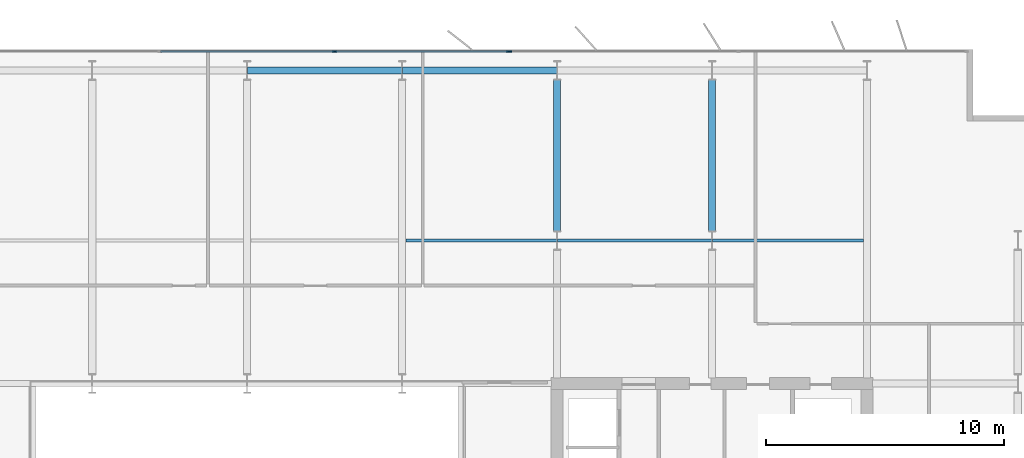
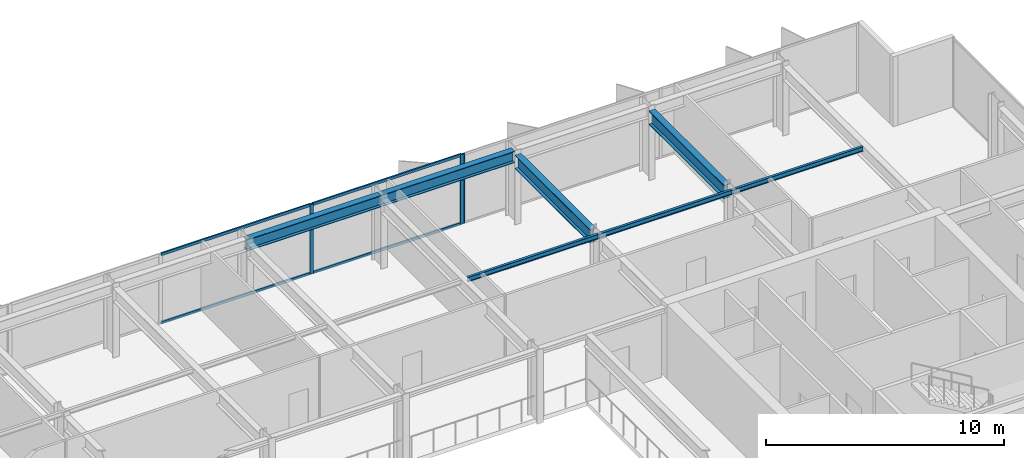
# One storey, part 12 of 24: 7 beams, 7 members, 2 elements without a shape of their own.
"""IFC4 building model written with IfcOpenShell, lengths in metres."""

from ifc_helpers import new_model, si_unit, direction, frame, origin, origin_2d, place, context, subcontext, project, spatial, rectangle, i_section, extrude, material, layer, layer_set, material_profile, profile_set, type_object, element, aggregate, save


model = new_model("IFC4")

# Units and contexts
model_context = context("Model", 3, precision=1e-05, world=origin(), true_north=direction((0.0, 1.0)))
body_context = subcontext(model_context, "Body", "Model", "MODEL_VIEW")
ifc_project = project(units=[si_unit("LENGTHUNIT", "METRE"), si_unit("AREAUNIT", "SQUARE_METRE"), si_unit("VOLUMEUNIT", "CUBIC_METRE"), si_unit("PLANEANGLEUNIT", "RADIAN"), si_unit("MASSUNIT", "GRAM", prefix="KILO")], contexts=[model_context])

# Site, building, storey
site_placement = place(None, origin())
site = spatial("IfcSite", under=ifc_project, at=site_placement, CompositionType="ELEMENT")
building_placement = place(site_placement, origin())
building = spatial("IfcBuilding", under=site, at=building_placement, Name="Putna Gate Headquarters", CompositionType="ELEMENT")
storey_placement = place(building_placement, frame((0.0, 0.0, 240.39990234375)))
storey = spatial("IfcBuildingStorey", under=building, at=storey_placement, Name="L60", CompositionType="ELEMENT", Elevation=240.39990234375)

# Beams
ifc_material_1 = material(Name="Steel S355J2", Category="steel")
ifc_material_profile_1 = material_profile(ifc_material_1, i_section(OverallWidth=0.300048828125, OverallDepth=0.699951171875, WebThickness=0.01708984375, FlangeThickness=0.031982421875, at=origin_2d()), Name="Steel S355J2")
ifc_profile_set_1 = profile_set([ifc_material_profile_1], Name="Steel S355J2")
beam_type_1 = type_object("IfcBeamType", Name="BM-GIRD-B-HEB700", PredefinedType="USERDEFINED", material=ifc_profile_set_1)
for number, where, z_axis, x_axis, name in (
    (1, (52.0, 39.39501953125, 3.22998046875), (0.0, 1.0, 0.0), (-1.0, 0.0, 0.0), "L60 North Primary Girder X52-2"),
    (2, (58.5, 39.39501953125, 3.22998046875), (0.0, 1.0, 0.0), (-1.0, 0.0, 0.0), "L60 North Primary Girder X58-2"),
):
    element("IfcBeam", number, at=place(storey_placement, frame(where, z_axis=z_axis, x_axis=x_axis)), inside=storey, type_object=beam_type_1, Name=name, ObjectType="GIRDER", PredefinedType="USERDEFINED", context=body_context, shape_type="SweptSolid", body=[
        extrude(i_section(OverallWidth=0.300048828125, OverallDepth=0.699951171875, WebThickness=0.01708984375, FlangeThickness=0.031982421875, at=origin_2d()), origin(), (0.0, 0.0, 1.0), 6.330078125),
    ])
ifc_material_profile_2 = material_profile(ifc_material_1, i_section(OverallWidth=0.1201171875, OverallDepth=0.239990234375, WebThickness=0.006103515625, FlangeThickness=0.009765625, at=origin_2d()), Name="Steel S355J2")
ifc_profile_set_2 = profile_set([ifc_material_profile_2], Name="Steel S355J2")
beam_type_2 = type_object("IfcBeamType", Name="BM-SEC-Z4-IPE240", PredefinedType="JOIST", material=ifc_profile_set_2)
beam_1_placement = place(storey_placement, frame((45.654052734375, 39.0, 3.460205078125), z_axis=(1.0, 0.0, 0.0), x_axis=(0.0, 1.0, 0.0)))
element("IfcBeam", 3, at=beam_1_placement, inside=storey, type_object=beam_type_2, Name="L60 North Secondary Beam 6", PredefinedType="JOIST", context=body_context, shape_type="SweptSolid", body=[
    extrude(i_section(OverallWidth=0.1201171875, OverallDepth=0.239990234375, WebThickness=0.006103515625, FlangeThickness=0.009765625, at=origin_2d()), origin(), (0.0, 0.0, 1.0), 6.33984375),
])
beam_2_placement = place(storey_placement, frame((52.006103515625, 39.0, 3.460205078125), z_axis=(1.0, 0.0, 0.0), x_axis=(0.0, 1.0, 0.0)))
element("IfcBeam", 4, at=beam_2_placement, inside=storey, type_object=beam_type_2, Name="L60 North Secondary Beam 7", PredefinedType="JOIST", context=body_context, shape_type="SweptSolid", body=[
    extrude(i_section(OverallWidth=0.1201171875, OverallDepth=0.239990234375, WebThickness=0.006103515625, FlangeThickness=0.009765625, at=origin_2d()), origin(), (0.0, 0.0, 1.0), 6.48779296875),
])
beam_3_placement = place(storey_placement, frame((58.506103515625, 39.0, 3.460205078125), z_axis=(1.0, 0.0, 0.0), x_axis=(0.0, 1.0, 0.0)))
element("IfcBeam", 5, at=beam_3_placement, inside=storey, type_object=beam_type_2, Name="L60 North Secondary Beam 8", PredefinedType="JOIST", context=body_context, shape_type="SweptSolid", body=[
    extrude(i_section(OverallWidth=0.1201171875, OverallDepth=0.239990234375, WebThickness=0.006103515625, FlangeThickness=0.009765625, at=origin_2d()), origin(), (0.0, 0.0, 1.0), 6.33984375),
])
ifc_material_profile_3 = material_profile(ifc_material_1, i_section(OverallWidth=0.300048828125, OverallDepth=0.590087890625, WebThickness=0.012939453125, FlangeThickness=0.02490234375, at=origin_2d()), Name="Steel S355J2")
ifc_profile_set_3 = profile_set([ifc_material_profile_3], Name="Steel S355J2")
beam_type_3 = type_object("IfcBeamType", Name="BM-SPAN-Z4-HEA600", PredefinedType="SPANDREL", material=ifc_profile_set_3)
for number, where, z_axis, x_axis, name in (
    (6, (39.006103515625, 46.1201171875, 3.28515625), (1.0, 0.0, 0.0), (0.0, 1.0, 0.0), "L60 N Perimeter Spandrel 5"),
    (7, (45.506103515625, 46.1201171875, 3.28515625), (1.0, 0.0, 0.0), (0.0, 1.0, 0.0), "L60 N Perimeter Spandrel 6"),
):
    element("IfcBeam", number, at=place(storey_placement, frame(where, z_axis=z_axis, x_axis=x_axis)), inside=storey, type_object=beam_type_3, Name=name, PredefinedType="SPANDREL", context=body_context, shape_type="SweptSolid", body=[
        extrude(i_section(OverallWidth=0.300048828125, OverallDepth=0.590087890625, WebThickness=0.012939453125, FlangeThickness=0.02490234375, at=origin_2d()), origin(), (0.0, 0.0, 1.0), 6.48779296875),
    ])

# Curtain wall, member
ifc_material_2 = material(Name="Anodised bronze aluminium curtain wall", Category="aluminium")
ifc_layer_1 = layer(ifc_material_2, 0.139892578125)
ifc_layer_set_1 = layer_set([ifc_layer_1], Name="Anodised bronze aluminium curtain wall")
curtain_wall_type_1 = type_object("IfcCurtainWallType", Name="CW-SYS-Z4", PredefinedType="USERDEFINED", material=ifc_layer_set_1)
curtain_wall_1_placement = place(storey_placement, origin())
curtain_wall_1 = element("IfcCurtainWall", 8, at=curtain_wall_1_placement, inside=storey, type_object=curtain_wall_type_1, Name="L60 North East Curtain Wall", ObjectType="STICK CURTAIN WALL", PredefinedType="USERDEFINED")
ifc_material_3 = material(Name="Anodised bronze aluminium EN AW-6060", Category="aluminium")
ifc_material_profile_4 = material_profile(ifc_material_3, rectangle(XDim=0.06005859375, YDim=0.139892578125, at=origin_2d()), Name="Anodised bronze aluminium EN AW-6060")
ifc_profile_set_4 = profile_set([ifc_material_profile_4], Name="Anodised bronze aluminium EN AW-6060")
member_type_1 = type_object("IfcMemberType", Name="MULL-CWM-4", PredefinedType="MULLION", material=ifc_profile_set_4)
member_1_placement = place(storey_placement, frame((50.030029296875, 46.919921875, 0.0), z_axis=(0.0, 0.0, 1.0), x_axis=(0.0, 1.0, 0.0)))
member_1 = element("IfcMember", 9, at=member_1_placement, type_object=member_type_1, Name="CWS-4 mullion 1", PredefinedType="MULLION", context=body_context, shape_type="SweptSolid", body=[
    extrude(rectangle(XDim=0.06005859375, YDim=0.139892578125, at=origin_2d()), origin(), (0.0, 0.0, 1.0), 3.580078125),
])
aggregate(curtain_wall_1, [member_1])

# Curtain wall, members
ifc_layer_2 = layer(ifc_material_2, 0.179931640625)
ifc_layer_set_2 = layer_set([ifc_layer_2], Name="Anodised bronze aluminium curtain wall")
curtain_wall_type_2 = type_object("IfcCurtainWallType", Name="CW-SYS-ATR", PredefinedType="USERDEFINED", material=ifc_layer_set_2)
curtain_wall_2_placement = place(storey_placement, origin())
curtain_wall_2 = element("IfcCurtainWall", 10, at=curtain_wall_2_placement, inside=storey, type_object=curtain_wall_type_2, Name="L60 North Atrium Clear Glazing", ObjectType="ATRIUM GLAZING", PredefinedType="USERDEFINED")
ifc_material_profile_5 = material_profile(ifc_material_3, rectangle(XDim=0.070068359375, YDim=0.179931640625, at=origin_2d()), Name="Anodised bronze aluminium EN AW-6060")
ifc_profile_set_5 = profile_set([ifc_material_profile_5], Name="Anodised bronze aluminium EN AW-6060")
member_type_2 = type_object("IfcMemberType", Name="MULL-CWM-AT", PredefinedType="MULLION", material=ifc_profile_set_5)
member_2_placement = place(storey_placement, frame((42.666748046875, 46.919921875, 0.0), z_axis=(0.0, 0.0, 1.0), x_axis=(0.0, 1.0, 0.0)))
member_2 = element("IfcMember", 11, at=member_2_placement, type_object=member_type_2, Name="CWS-AT mullion 3", PredefinedType="MULLION", context=body_context, shape_type="SweptSolid", body=[
    extrude(rectangle(XDim=0.070068359375, YDim=0.179931640625, at=origin_2d()), origin(), (0.0, 0.0, 1.0), 3.580078125),
])
member_3_placement = place(storey_placement, frame((49.965087890625, 46.919921875, 0.0), z_axis=(0.0, 0.0, 1.0), x_axis=(0.0, 1.0, 0.0)))
member_3 = element("IfcMember", 12, at=member_3_placement, type_object=member_type_2, Name="CWS-AT mullion 4", PredefinedType="MULLION", context=body_context, shape_type="SweptSolid", body=[
    extrude(rectangle(XDim=0.070068359375, YDim=0.179931640625, at=origin_2d()), origin(), (0.0, 0.0, 1.0), 3.580078125),
])
ifc_material_profile_6 = material_profile(ifc_material_3, rectangle(XDim=0.070068359375, YDim=0.139892578125, at=origin_2d()), Name="Anodised bronze aluminium EN AW-6060")
ifc_profile_set_6 = profile_set([ifc_material_profile_6], Name="Anodised bronze aluminium EN AW-6060")
member_type_3 = type_object("IfcMemberType", Name="TRAN-CWT-AT", PredefinedType="USERDEFINED", material=ifc_profile_set_6)
member_4_placement = place(storey_placement, frame((35.368408203125, 46.919921875, 0.03515625), z_axis=(1.0, 0.0, 0.0), x_axis=(0.0, 1.0, 0.0)))
member_4 = element("IfcMember", 13, at=member_4_placement, type_object=member_type_3, Name="CWS-AT transom 2.1", ObjectType="TRANSOM", PredefinedType="USERDEFINED", context=body_context, shape_type="SweptSolid", body=[
    extrude(rectangle(XDim=0.070068359375, YDim=0.139892578125, at=origin_2d()), origin(), (0.0, 0.0, 1.0), 7.26318359375),
])
member_5_placement = place(storey_placement, frame((35.368408203125, 46.919921875, 3.545166015625), z_axis=(1.0, 0.0, 0.0), x_axis=(0.0, 1.0, 0.0)))
member_5 = element("IfcMember", 14, at=member_5_placement, type_object=member_type_3, Name="CWS-AT transom 2.2", ObjectType="TRANSOM", PredefinedType="USERDEFINED", context=body_context, shape_type="SweptSolid", body=[
    extrude(rectangle(XDim=0.070068359375, YDim=0.139892578125, at=origin_2d()), origin(), (0.0, 0.0, 1.0), 7.26318359375),
])
member_6_placement = place(storey_placement, frame((42.70166015625, 46.919921875, 0.03515625), z_axis=(1.0, 0.0, 0.0), x_axis=(0.0, 1.0, 0.0)))
member_6 = element("IfcMember", 15, at=member_6_placement, type_object=member_type_3, Name="CWS-AT transom 3.1", ObjectType="TRANSOM", PredefinedType="USERDEFINED", context=body_context, shape_type="SweptSolid", body=[
    extrude(rectangle(XDim=0.070068359375, YDim=0.139892578125, at=origin_2d()), origin(), (0.0, 0.0, 1.0), 7.228271484375),
])
member_7_placement = place(storey_placement, frame((42.70166015625, 46.919921875, 3.545166015625), z_axis=(1.0, 0.0, 0.0), x_axis=(0.0, 1.0, 0.0)))
member_7 = element("IfcMember", 16, at=member_7_placement, type_object=member_type_3, Name="CWS-AT transom 3.2", ObjectType="TRANSOM", PredefinedType="USERDEFINED", context=body_context, shape_type="SweptSolid", body=[
    extrude(rectangle(XDim=0.070068359375, YDim=0.139892578125, at=origin_2d()), origin(), (0.0, 0.0, 1.0), 7.228271484375),
])
aggregate(curtain_wall_2, [member_2, member_3, member_4, member_5, member_6, member_7])

save(model, "model.ifc")
